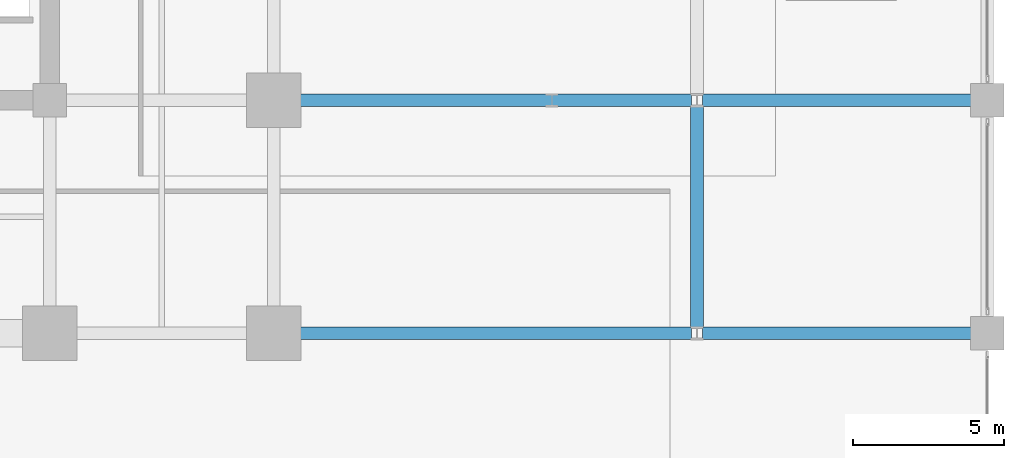
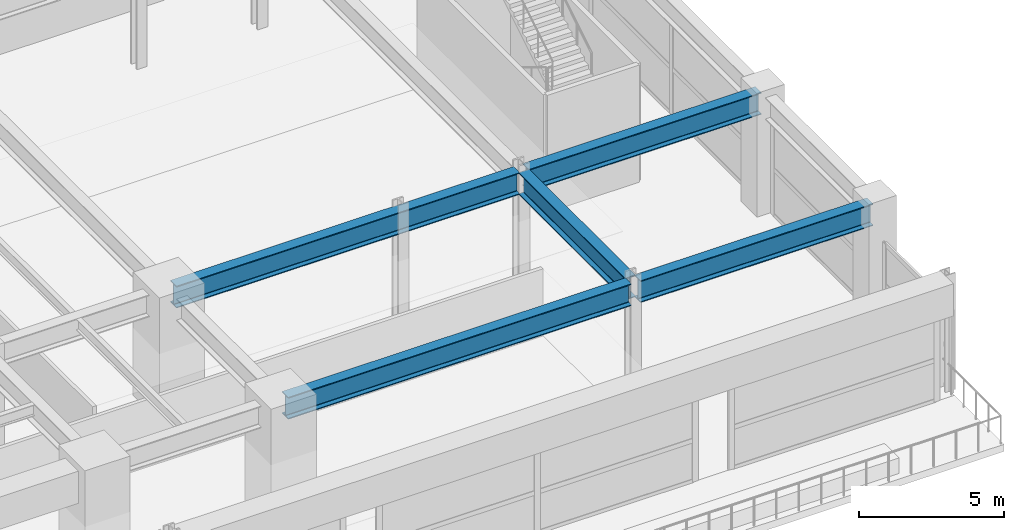
# One storey, part 26 of 43: 5 beams.
"""IFC4 building model written with IfcOpenShell, lengths in metres."""

from ifc_helpers import new_model, si_unit, direction, frame, origin, origin_2d, place, context, subcontext, project, spatial, i_section, extrude, material, material_profile, profile_set, type_object, element, save


model = new_model("IFC4")

# Units and contexts
model_context = context("Model", 3, precision=1e-05, world=origin(), true_north=direction((0.0, 1.0)))
body_context = subcontext(model_context, "Body", "Model", "MODEL_VIEW")
ifc_project = project(units=[si_unit("LENGTHUNIT", "METRE"), si_unit("AREAUNIT", "SQUARE_METRE"), si_unit("VOLUMEUNIT", "CUBIC_METRE"), si_unit("PLANEANGLEUNIT", "RADIAN"), si_unit("MASSUNIT", "GRAM", prefix="KILO")], contexts=[model_context])

# Site, building, storey
site_placement = place(None, origin())
site = spatial("IfcSite", under=ifc_project, at=site_placement, CompositionType="ELEMENT")
building_placement = place(site_placement, origin())
building = spatial("IfcBuilding", under=site, at=building_placement, Name="Kovane Verandah Tower", CompositionType="ELEMENT")
storey_placement = place(building_placement, frame((0.0, 0.0, 11.199951171875)))
storey = spatial("IfcBuildingStorey", under=building, at=storey_placement, Name="L02", CompositionType="ELEMENT", Elevation=11.199951171875)

# Beams
ifc_material = material(Name="Steel S460", Category="steel")
ifc_material_profile = material_profile(ifc_material, i_section(OverallWidth=0.42041015625, OverallDepth=0.9208984375, WebThickness=0.021484375, FlangeThickness=0.03662109375, FilletRadius=0.024169921875, at=origin_2d()), Name="UB914x419x388")
ifc_profile_set = profile_set([ifc_material_profile], Name="Steel S460")
beam_type = type_object("IfcBeamType", Name="BM-UB914x388", PredefinedType="BEAM", material=ifc_profile_set)
beam_1_placement = place(storey_placement, frame((58.580078125, 10.800048828125, 4.439453125), z_axis=(1.0, 0.0, 0.0), x_axis=(0.0, 1.0, 0.0)))
element("IfcBeam", 1, at=beam_1_placement, inside=storey, type_object=beam_type, Name="L02 Podium Grid Girder X03", PredefinedType="BEAM", context=body_context, shape_type="SweptSolid", body=[
    extrude(i_section(OverallWidth=0.42041015625, OverallDepth=0.9208984375, WebThickness=0.021484375, FlangeThickness=0.03662109375, FilletRadius=0.024169921875, at=origin_2d()), origin(), (0.0, 0.0, 1.0), 13.639892578125),
])
beam_2_placement = place(storey_placement, frame((72.580078125, 10.800048828125, 4.439453125), z_axis=(1.0, 0.0, 0.0), x_axis=(0.0, 1.0, 0.0)))
element("IfcBeam", 2, at=beam_2_placement, inside=storey, type_object=beam_type, Name="L02 Podium Grid Girder X04", PredefinedType="BEAM", context=body_context, shape_type="SweptSolid", body=[
    extrude(i_section(OverallWidth=0.42041015625, OverallDepth=0.9208984375, WebThickness=0.021484375, FlangeThickness=0.03662109375, FilletRadius=0.024169921875, at=origin_2d()), origin(), (0.0, 0.0, 1.0), 9.239990234375),
])
beam_3_placement = place(storey_placement, frame((58.580078125, 18.5, 4.439453125), z_axis=(1.0, 0.0, 0.0), x_axis=(0.0, 1.0, 0.0)))
element("IfcBeam", 3, at=beam_3_placement, inside=storey, type_object=beam_type, Name="L02 Podium Grid Girder X07", PredefinedType="BEAM", context=body_context, shape_type="SweptSolid", body=[
    extrude(i_section(OverallWidth=0.42041015625, OverallDepth=0.9208984375, WebThickness=0.021484375, FlangeThickness=0.03662109375, FilletRadius=0.024169921875, at=origin_2d()), origin(), (0.0, 0.0, 1.0), 13.639892578125),
])
beam_4_placement = place(storey_placement, frame((72.580078125, 18.5, 4.439453125), z_axis=(1.0, 0.0, 0.0), x_axis=(0.0, 1.0, 0.0)))
element("IfcBeam", 4, at=beam_4_placement, inside=storey, type_object=beam_type, Name="L02 Podium Grid Girder X08", PredefinedType="BEAM", context=body_context, shape_type="SweptSolid", body=[
    extrude(i_section(OverallWidth=0.42041015625, OverallDepth=0.9208984375, WebThickness=0.021484375, FlangeThickness=0.03662109375, FilletRadius=0.024169921875, at=origin_2d()), origin(), (0.0, 0.0, 1.0), 9.239990234375),
])
beam_5_placement = place(storey_placement, frame((72.39990234375, 10.97998046875, 4.439453125), z_axis=(0.0, 1.0, 0.0), x_axis=(-1.0, 0.0, 0.0)))
element("IfcBeam", 5, at=beam_5_placement, inside=storey, type_object=beam_type, Name="L02 Podium Grid Girder Y36", PredefinedType="BEAM", context=body_context, shape_type="SweptSolid", body=[
    extrude(i_section(OverallWidth=0.42041015625, OverallDepth=0.9208984375, WebThickness=0.021484375, FlangeThickness=0.03662109375, FilletRadius=0.024169921875, at=origin_2d()), origin(), (0.0, 0.0, 1.0), 7.340087890625),
])

save(model, "model.ifc")
